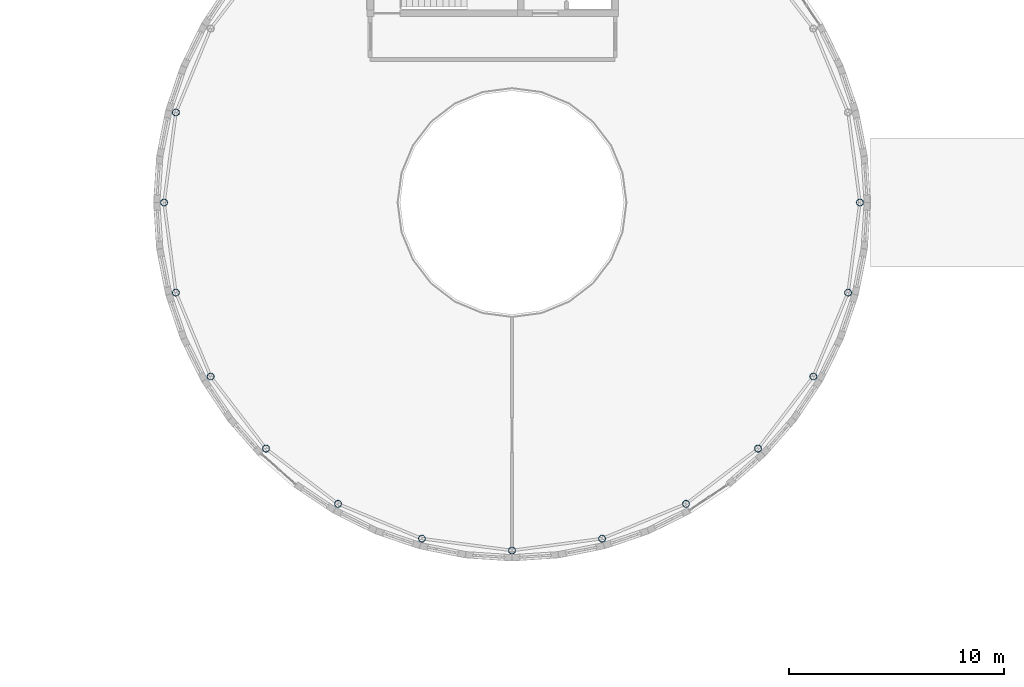
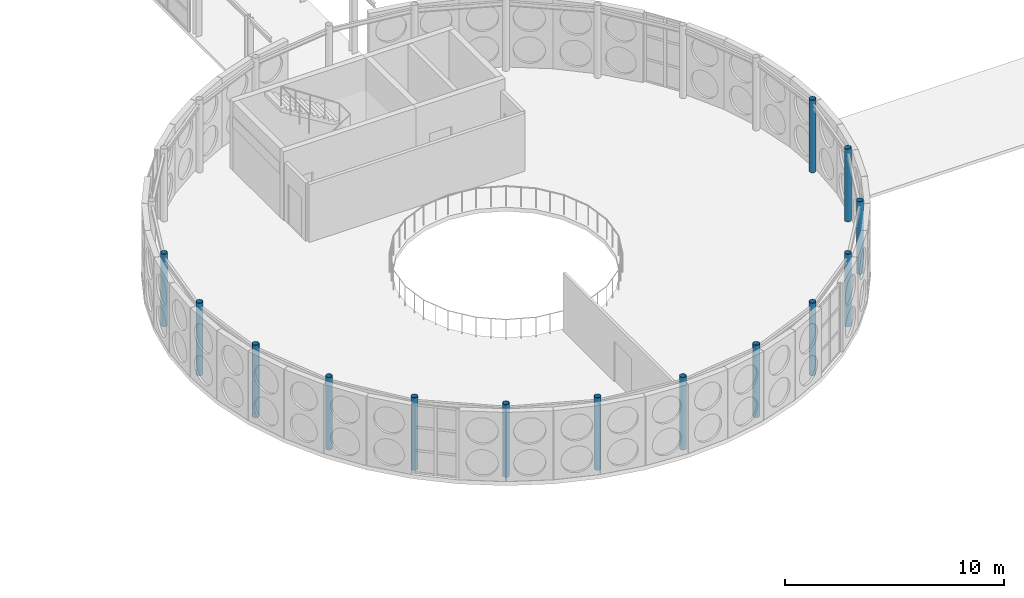
# One storey, part 5 of 189: 14 columns.
"""IFC4 building model written with IfcOpenShell, lengths in metres."""

from ifc_helpers import new_model, si_unit, direction, frame, origin, origin_2d, place, context, subcontext, project, spatial, hollow_circle, extrude, material, material_profile, profile_set, type_object, element, save


model = new_model("IFC4")

# Units and contexts
model_context = context("Model", 3, precision=1e-05, world=origin(), true_north=direction((0.0, 1.0)))
body_context = subcontext(model_context, "Body", "Model", "MODEL_VIEW")
ifc_project = project(units=[si_unit("LENGTHUNIT", "METRE"), si_unit("AREAUNIT", "SQUARE_METRE"), si_unit("VOLUMEUNIT", "CUBIC_METRE"), si_unit("PLANEANGLEUNIT", "RADIAN"), si_unit("MASSUNIT", "GRAM", prefix="KILO")], contexts=[model_context])

# Site, building, storey
site_placement = place(None, origin())
site = spatial("IfcSite", under=ifc_project, at=site_placement, CompositionType="ELEMENT")
building_placement = place(site_placement, origin())
building = spatial("IfcBuilding", under=site, at=building_placement, Name="Montecoro Central Library", CompositionType="ELEMENT")
storey_placement = place(building_placement, frame((0.0, 0.0, 9.179931640625)))
storey = spatial("IfcBuildingStorey", under=building, at=storey_placement, Name="L02", CompositionType="ELEMENT", Elevation=9.179931640625)

# Columns
ifc_material = material(Name="Steel S355", Category="steel")
ifc_material_profile = material_profile(ifc_material, hollow_circle(Radius=0.161865234375, WallThickness=0.012451171875, at=origin_2d()), Name="CHS 323.9x12.5")
ifc_profile_set = profile_set([ifc_material_profile], Name="Steel S355")
column_type = type_object("IfcColumnType", Name="COL-CHS324", PredefinedType="COLUMN", material=ifc_profile_set)
for number, where, z_axis, x_axis, name in (
    (1, (107.780029296875, 35.39990234375, 0.0), (0.0, 0.0, 1.0), (1.0, 0.0, 0.0), "V1-L02-DCOL-01"),
    (2, (75.970947265625, 39.587890625, 0.0), (0.0, 0.0, 1.0), (1.0, 0.0, 0.0), "V1-L02-DCOL-12"),
    (3, (75.419921875, 35.39990234375, 0.0), (0.0, 0.0, 1.0), (1.0, 0.0, 0.0), "V1-L02-DCOL-13"),
    (4, (75.970947265625, 31.2119140625, 0.0), (0.0, 0.0, 1.0), (1.0, 0.0, 0.0), "V1-L02-DCOL-14"),
    (5, (77.587890625, 27.31005859375, 0.0), (0.0, 0.0, 1.0), (1.0, 0.0, 0.0), "V1-L02-DCOL-15"),
    (6, (80.158935546875, 23.958984375, 0.0), (0.0, 0.0, 1.0), (1.0, 0.0, 0.0), "V1-L02-DCOL-16"),
    (7, (83.510009765625, 21.387939453125, 0.0), (0.0, 0.0, 1.0), (1.0, 0.0, 0.0), "V1-L02-DCOL-17"),
    (8, (87.412109375, 19.77099609375, 0.0), (0.0, 0.0, 1.0), (1.0, 0.0, 0.0), "V1-L02-DCOL-18"),
    (9, (91.60009765625, 19.219970703125, 0.0), (0.0, 0.0, 1.0), (1.0, 0.0, 0.0), "V1-L02-DCOL-19"),
    (10, (95.7880859375, 19.77099609375, 0.0), (0.0, 0.0, 1.0), (1.0, 0.0, 0.0), "V1-L02-DCOL-20"),
    (11, (99.68994140625, 21.387939453125, 0.0), (0.0, 0.0, 1.0), (1.0, 0.0, 0.0), "V1-L02-DCOL-21"),
    (12, (103.041015625, 23.958984375, 0.0), (0.0, 0.0, 1.0), (1.0, 0.0, 0.0), "V1-L02-DCOL-22"),
    (13, (105.612060546875, 27.31005859375, 0.0), (0.0, 0.0, 1.0), (1.0, 0.0, 0.0), "V1-L02-DCOL-23"),
    (14, (107.22900390625, 31.2119140625, 0.0), (0.0, 0.0, 1.0), (1.0, 0.0, 0.0), "V1-L02-DCOL-24"),
):
    element("IfcColumn", number, at=place(storey_placement, frame(where, z_axis=z_axis, x_axis=x_axis)), inside=storey, type_object=column_type, Name=name, PredefinedType="COLUMN", context=body_context, shape_type="SweptSolid", body=[
        extrude(hollow_circle(Radius=0.161865234375, WallThickness=0.012451171875, at=origin_2d()), origin(), (0.0, 0.0, 1.0), 4.05517578125),
    ])

save(model, "model.ifc")
